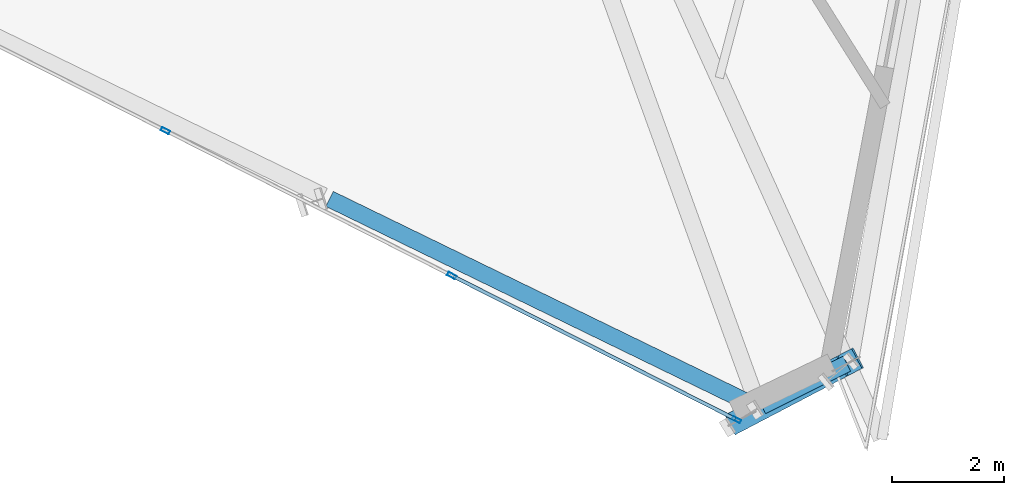
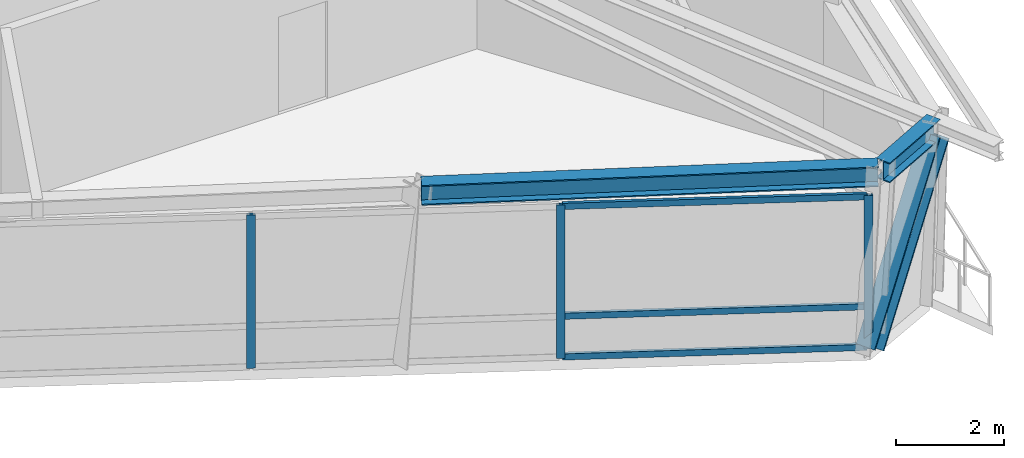
# One storey, part 4 of 21: 7 members, 2 beams, 1 element without a shape of its own.
"""IFC4 building model written with IfcOpenShell, lengths in metres."""

import ifcopenshell
import ifcopenshell.guid

model = None  # the IFC model being written
_history = None  # IfcOwnerHistory: only IFC2X3 demands one
_inside = {}  # id of a spatial element -> (the spatial element, [elements in it])
_under = {}  # id of a project, library or spatial element -> (it, [spatial elements below it])
_declared = {}  # id of a project -> (the project, [libraries it declares])
_typed = {}  # id of a type object -> (the type object, [elements of that type])
_made_of = {}  # id of a material, layer set ... -> (it, [elements and type objects made of it])


def new_model(schema):
    """Start an empty IFC model of exactly this schema.

    Asked for "IFC4X3", IfcOpenShell would pick the latest addendum, in which some entities
    have other attributes; the version numbers below select the first issue.
    IFC2X3 requires an IfcOwnerHistory on every rooted entity: one is made here for all.
    """
    global model, _history
    if schema == "IFC4X3":
        model = ifcopenshell.file(schema_version=(4, 3, 0, 0))
    else:
        model = ifcopenshell.file(schema=schema)
    _inside.clear()
    _under.clear()
    _declared.clear()
    _typed.clear()
    _made_of.clear()
    _history = None
    if model.schema == "IFC2X3":
        org = make("IfcOrganization", Name="unknown")
        user = make(
            "IfcPersonAndOrganization",
            ThePerson=make("IfcPerson", FamilyName="unknown"),
            TheOrganization=org,
        )
        app = make(
            "IfcApplication",
            ApplicationDeveloper=org,
            Version="unknown",
            ApplicationFullName="unknown",
            ApplicationIdentifier="unknown",
        )
        _history = make(
            "IfcOwnerHistory",
            OwningUser=user,
            OwningApplication=app,
            ChangeAction="ADDED",
            CreationDate=0,
        )
    return model


def make(cls, **values):
    """One entity of the class cls with the attributes given. An attribute that is None is left unset."""
    return model.create_entity(
        cls, **{name: value for name, value in values.items() if value is not None}
    )


def rooted(cls, **values):
    """An entity with a GlobalId (a new one), such as an element, a storey or a relation."""
    return make(cls, GlobalId=ifcopenshell.guid.new(), OwnerHistory=_history, **values)


def si_unit(unit_type, name, prefix=None):
    """IfcSIUnit, for example si_unit("LENGTHUNIT", "METRE", prefix="MILLI")."""
    return make("IfcSIUnit", UnitType=unit_type, Prefix=prefix, Name=name)


def assignment(units):
    """IfcUnitAssignment: the units of a project."""
    return None if units is None else make("IfcUnitAssignment", Units=units)


def point(xyz):
    """IfcCartesianPoint."""
    return None if xyz is None else make("IfcCartesianPoint", Coordinates=xyz)


def direction(xyz):
    """IfcDirection."""
    return None if xyz is None else make("IfcDirection", DirectionRatios=xyz)


def frame(location, z_axis=None, x_axis=None):
    """IfcAxis2Placement3D, a coordinate frame: its origin and axes. An axis left out is left unset."""
    return make(
        "IfcAxis2Placement3D",
        Location=point(location),
        Axis=direction(z_axis),
        RefDirection=direction(x_axis),
    )


def frame_2d(location, x_axis=None):
    """IfcAxis2Placement2D, a coordinate frame in the plane: its origin and x axis."""
    return make(
        "IfcAxis2Placement2D", Location=point(location), RefDirection=direction(x_axis)
    )


def origin():
    """The frame at (0, 0, 0) with its axes left unset."""
    return frame((0.0, 0.0, 0.0))


def origin_2d():
    """The frame at (0, 0) in the plane with its x axis left unset."""
    return frame_2d((0.0, 0.0))


def place(relative_to, where):
    """IfcLocalPlacement: puts the frame where relative to a parent placement (None: the world)."""
    return make(
        "IfcLocalPlacement", PlacementRelTo=relative_to, RelativePlacement=where
    )


def context(
    kind, dimensions, precision=None, world=None, true_north=None, identifier=None
):
    """IfcGeometricRepresentationContext, for example the 3D "Model" context."""
    return make(
        "IfcGeometricRepresentationContext",
        ContextIdentifier=identifier,
        ContextType=kind,
        CoordinateSpaceDimension=dimensions,
        Precision=precision,
        WorldCoordinateSystem=world,
        TrueNorth=true_north,
    )


def subcontext(parent, identifier, kind, view, scale=None):
    """IfcGeometricRepresentationSubContext, for example "Body" below "Model"."""
    return make(
        "IfcGeometricRepresentationSubContext",
        ContextIdentifier=identifier,
        ContextType=kind,
        ParentContext=parent,
        TargetScale=scale,
        TargetView=view,
    )


def project(units=None, contexts=None):
    """IfcProject with its units and contexts."""
    return rooted(
        "IfcProject",
        Name="project",
        RepresentationContexts=contexts,
        UnitsInContext=assignment(units),
    )


def spatial(cls, under=None, at=None, **own):
    """A site, building, storey or space (cls), placed at a placement, below another one or the project."""
    s = rooted(cls, ObjectPlacement=at, **own)
    if under is not None:
        _under.setdefault(under.id(), (under, []))[1].append(s)
    return s


def profile(cls, at=None, kind="AREA", **sizes):
    """A parametric profile (cls). Its sizes go by their IFC names, for example OverallWidth=200.0."""
    return make(cls, ProfileType=kind, Position=at, **sizes)


def hollow_rectangle(**sizes):
    """IfcRectangleHollowProfileDef."""
    return profile("IfcRectangleHollowProfileDef", **sizes)


def i_section(**sizes):
    """IfcIShapeProfileDef."""
    return profile("IfcIShapeProfileDef", **sizes)


def extrude(swept, where, along, depth):
    """IfcExtrudedAreaSolid: the profile swept, set in the frame where, extruded along a direction by depth."""
    return make(
        "IfcExtrudedAreaSolid",
        SweptArea=swept,
        Position=where,
        ExtrudedDirection=direction(along),
        Depth=depth,
    )


def shape(context_of_items, identifier, shape_type, items):
    """IfcShapeRepresentation: the items that make up one representation, for example the "Body"."""
    return make(
        "IfcShapeRepresentation",
        ContextOfItems=context_of_items,
        RepresentationIdentifier=identifier,
        RepresentationType=shape_type,
        Items=items,
    )


def source(mapping_origin, context_of_items, identifier, shape_type, items):
    """IfcRepresentationMap: a shape defined once, which mapped items show again and again."""
    return make(
        "IfcRepresentationMap",
        MappingOrigin=mapping_origin,
        MappedRepresentation=shape(context_of_items, identifier, shape_type, items),
    )


def transform(
    local_origin,
    x_axis=None,
    y_axis=None,
    z_axis=None,
    scale=None,
    scale2=None,
    scale3=None,
    uniform=True,
):
    """IfcCartesianTransformationOperator3D, or its non-uniform kind. x_axis, y_axis, z_axis: its Axis1, 2, 3."""
    if uniform:
        return make(
            "IfcCartesianTransformationOperator3D",
            Axis1=direction(x_axis),
            Axis2=direction(y_axis),
            LocalOrigin=point(local_origin),
            Scale=scale,
            Axis3=direction(z_axis),
        )
    return make(
        "IfcCartesianTransformationOperator3DnonUniform",
        Axis1=direction(x_axis),
        Axis2=direction(y_axis),
        LocalOrigin=point(local_origin),
        Scale=scale,
        Axis3=direction(z_axis),
        Scale2=scale2,
        Scale3=scale3,
    )


def mapped(mapping_source, mapping_target):
    """IfcMappedItem: shows the shape of a source again, moved by a transform."""
    return make(
        "IfcMappedItem", MappingSource=mapping_source, MappingTarget=mapping_target
    )


def material(Name=None, Category=None):
    """IfcMaterial."""
    return make("IfcMaterial", Name=Name, Category=Category)


def material_profile(
    of_material, cross_section, Name=None, Category=None, Priority=None
):
    """IfcMaterialProfile: a cross section and its material."""
    return make(
        "IfcMaterialProfile",
        Name=Name,
        Material=of_material,
        Profile=cross_section,
        Priority=Priority,
        Category=Category,
    )


def profile_set(profiles, Name=None, composite=None):
    """IfcMaterialProfileSet."""
    return make(
        "IfcMaterialProfileSet",
        Name=Name,
        MaterialProfiles=profiles,
        CompositeProfile=composite,
    )


def made_of(thing, what):
    """Note that an element or type object is made of a material, layer set ...; save() writes the relation."""
    if what is not None:
        _made_of.setdefault(what.id(), (what, []))[1].append(thing)
    return thing


def type_object(cls, material=None, **own):
    """A type object (cls), such as IfcWallType, which elements share."""
    return made_of(rooted(cls, **own), material)


def element(
    cls,
    number,
    at=None,
    inside=None,
    cuts=None,
    type_object=None,
    material=None,
    context=None,
    identifier="Body",
    shape_type=None,
    held_by="IfcProductDefinitionShape",
    body=None,
    shapes=None,
    **own,
):
    """One element of the class cls, such as IfcWall. Its Tag is "e" and its number.

    at: its placement. inside: the storey or other place that contains it. cuts: it is an
    opening in that element (IfcRelVoidsElement). A single representation is given by context,
    identifier, shape_type and body (its items); several are given by shapes. held_by: the class
    of the entity that holds the representations. save() writes the other relations.
    """
    e = rooted(cls, Tag="e%d" % number, ObjectPlacement=at, **own)
    if body is not None:
        shapes = [shape(context, identifier, shape_type, body)]
    if shapes is not None:
        e.Representation = make(held_by, Representations=shapes)
    if inside is not None:
        _inside.setdefault(inside.id(), (inside, []))[1].append(e)
    if cuts is not None:
        rooted(
            "IfcRelVoidsElement", RelatingBuildingElement=cuts, RelatedOpeningElement=e
        )
    if type_object is not None:
        _typed.setdefault(type_object.id(), (type_object, []))[1].append(e)
    return made_of(e, material)


def aggregate(whole, parts):
    """IfcRelAggregates: a whole, such as a stair, and the parts it consists of."""
    return rooted("IfcRelAggregates", RelatingObject=whole, RelatedObjects=parts)


def save(model, path):
    """Write the relations noted so far, then the file.

    IfcRelAggregates (storeys below a building ...), IfcRelContainedInSpatialStructure (elements
    in a storey), IfcRelDefinesByType, IfcRelAssociatesMaterial and IfcRelDeclares: one each for
    every whole, place, type object, material and project.
    """
    for whole, parts in _under.values():
        aggregate(whole, parts)
    for where, things in _inside.values():
        rooted(
            "IfcRelContainedInSpatialStructure",
            RelatedElements=things,
            RelatingStructure=where,
        )
    for kind, things in _typed.values():
        rooted("IfcRelDefinesByType", RelatedObjects=things, RelatingType=kind)
    for what, things in _made_of.values():
        rooted("IfcRelAssociatesMaterial", RelatedObjects=things, RelatingMaterial=what)
    for by, libraries in _declared.values():
        rooted("IfcRelDeclares", RelatingContext=by, RelatedDefinitions=libraries)
    model.write(path)


model = new_model("IFC4")

# Units and contexts
model_context = context("Model", 3, precision=1e-05, world=origin(), true_north=direction((0.0, 1.0)))
body_context = subcontext(model_context, "Body", "Model", "MODEL_VIEW")
ifc_project = project(units=[si_unit("LENGTHUNIT", "METRE"), si_unit("AREAUNIT", "SQUARE_METRE"), si_unit("VOLUMEUNIT", "CUBIC_METRE"), si_unit("PLANEANGLEUNIT", "RADIAN"), si_unit("MASSUNIT", "GRAM", prefix="KILO")], contexts=[model_context])

# Site, building, storey
site_placement = place(None, origin())
site = spatial("IfcSite", under=ifc_project, at=site_placement, CompositionType="ELEMENT")
building_placement = place(site_placement, origin())
building = spatial("IfcBuilding", under=site, at=building_placement, Name="Olszyna Solenne Hotel", CompositionType="ELEMENT")
storey_placement = place(building_placement, frame((0.0, 0.0, 277.699951171875)))
storey = spatial("IfcBuildingStorey", under=building, at=storey_placement, Name="L74", CompositionType="ELEMENT", Elevation=277.699951171875)

# Beams
ifc_material_1 = material(Name="Steel S355J2", Category="steel")
ifc_material_profile_1 = material_profile(ifc_material_1, i_section(OverallWidth=0.300048828125, OverallDepth=0.449951171875, WebThickness=0.013916015625, FlangeThickness=0.02587890625, at=origin_2d()), Name="HEB 450", Category="load-bearing")
ifc_profile_set_1 = profile_set([ifc_material_profile_1], Name="Steel S355J2")
beam_type = type_object("IfcBeamType", Name="BM-S4", PredefinedType="BEAM", material=ifc_profile_set_1)
shared_shape_1 = source(origin(), body_context, "Body", "SweptSolid", [
    extrude(i_section(OverallWidth=0.300048828125, OverallDepth=0.449951171875, WebThickness=0.013916015625, FlangeThickness=0.02587890625, at=origin_2d()), origin(), (0.0, 0.0, 1.0), 8.4658203125),
])
beam_1_placement = place(storey_placement, frame((38.02294921875, 9.08203125, 3.695068359375), z_axis=(0.899270346106, -0.437393237962, 0.0), x_axis=(0.437393237962, 0.899270346106, 0.0)))
element("IfcBeam", 1, at=beam_1_placement, inside=storey, type_object=beam_type, Name="Perimeter spandrel beam BM-S4 B-L74-2175", PredefinedType="BEAM", context=body_context, shape_type="MappedRepresentation", body=[
    mapped(shared_shape_1, transform((0.0, 0.0, 0.0), x_axis=(1.0, 0.0, 0.0), y_axis=(0.0, 1.0, 0.0), z_axis=(0.0, 0.0, 1.0), scale=1.0)),
])
shared_shape_2 = source(origin(), body_context, "Body", "SweptSolid", [
    extrude(i_section(OverallWidth=0.300048828125, OverallDepth=0.449951171875, WebThickness=0.013916015625, FlangeThickness=0.02587890625, at=origin_2d()), origin(), (0.0, 0.0, 1.0), 1.69873046875),
])
beam_2_placement = place(storey_placement, frame((45.743408203125, 5.3798828125, 3.695068359375), z_axis=(0.894197128152, 0.447673425618, 0.0), x_axis=(-0.447673425618, 0.894197128152, 0.0)))
element("IfcBeam", 2, at=beam_2_placement, inside=storey, type_object=beam_type, Name="Perimeter spandrel beam BM-S4 B-L74-2176", PredefinedType="BEAM", context=body_context, shape_type="MappedRepresentation", body=[
    mapped(shared_shape_2, transform((0.0, 0.0, 0.0), x_axis=(1.0, 0.0, 0.0), y_axis=(0.0, 1.0, 0.0), z_axis=(0.0, 0.0, 1.0), scale=1.0)),
])

# Member
ifc_material_2 = material(Name="Steel S460M", Category="steel")
ifc_material_profile_2 = material_profile(ifc_material_2, i_section(OverallWidth=0.40087890625, OverallDepth=0.39892578125, WebThickness=0.02197265625, FlangeThickness=0.034423828125, at=origin_2d()), Name="HD 400x314", Category="load-bearing")
ifc_profile_set_2 = profile_set([ifc_material_profile_2], Name="Steel S460M")
member_type_1 = type_object("IfcMemberType", Name="BR-T3", PredefinedType="BRACE", material=ifc_profile_set_2)
shared_shape_3 = source(origin(), body_context, "Body", "SweptSolid", [
    extrude(i_section(OverallWidth=0.40087890625, OverallDepth=0.39892578125, WebThickness=0.02197265625, FlangeThickness=0.034423828125, at=origin_2d()), origin(), (0.0, 0.0, 1.0), 4.1357421875),
])
member_1_placement = place(storey_placement, frame((45.32080078125, 5.123291015625, 0.010009765625), z_axis=(0.482455607557, 0.252414068018, 0.838763211523), x_axis=(-0.4635734805, 0.886058478983, 0.0)))
element("IfcMember", 3, at=member_1_placement, inside=storey, type_object=member_type_1, Name="Perimeter braced-tube diagonal BR-T3 BR-L74-3", PredefinedType="BRACE", context=body_context, shape_type="MappedRepresentation", body=[
    mapped(shared_shape_3, transform((0.0, 0.0, 0.0), x_axis=(1.0, 0.0, 0.0), y_axis=(0.0, 1.0, 0.0), z_axis=(0.0, 0.0, 1.0), scale=1.0)),
])

# Curtain wall, members
ifc_material_3 = material(Name="Anodised bronze aluminium", Category="aluminium")
curtain_wall_type = type_object("IfcCurtainWallType", Name="CW-SYS-7", PredefinedType="NOTDEFINED", material=ifc_material_3)
curtain_wall_placement = place(storey_placement, origin())
curtain_wall = element("IfcCurtainWall", 4, at=curtain_wall_placement, inside=storey, type_object=curtain_wall_type, Name="Unitised curtain wall CW-SYS-7 CW-L74-01", PredefinedType="NOTDEFINED")
ifc_material_profile_3 = material_profile(ifc_material_3, hollow_rectangle(XDim=0.06494140625, YDim=0.159912109375, WallThickness=0.00390625, at=origin_2d()), Name="MULL 160x65x4", Category="load-bearing")
ifc_profile_set_3 = profile_set([ifc_material_profile_3], Name="Anodised bronze aluminium")
member_type_2 = type_object("IfcMemberType", Name="CW-M3", PredefinedType="MULLION", material=ifc_profile_set_3)
shared_shape_4 = source(origin(), body_context, "Body", "SweptSolid", [
    extrude(hollow_rectangle(XDim=0.06494140625, YDim=0.159912109375, WallThickness=0.00390625, at=origin_2d()), origin(), (0.0, 0.0, 1.0), 3.462158203125),
])
member_2_placement = place(storey_placement, frame((35.09130859375, 10.30078125, 0.0), z_axis=(0.0, 0.0, 1.0), x_axis=(0.451573987333, 0.892233676771, 0.0)))
member_2 = element("IfcMember", 5, at=member_2_placement, type_object=member_type_2, Name="Curtain-wall mullion CW-M3 CM-L74-01-02", PredefinedType="MULLION", context=body_context, shape_type="MappedRepresentation", body=[
    mapped(shared_shape_4, transform((0.0, 0.0, 0.0), x_axis=(1.0, 0.0, 0.0), y_axis=(0.0, 1.0, 0.0), z_axis=(0.0, 0.0, 1.0), scale=1.0)),
])
member_3_placement = place(storey_placement, frame((40.2060546875, 7.712158203125, 0.0), z_axis=(0.0, 0.0, 1.0), x_axis=(0.451573987333, 0.892233676771, 0.0)))
member_3 = element("IfcMember", 6, at=member_3_placement, type_object=member_type_2, Name="Curtain-wall mullion CW-M3 CM-L74-01-03", PredefinedType="MULLION", context=body_context, shape_type="MappedRepresentation", body=[
    mapped(shared_shape_4, transform((0.0, 0.0, 0.0), x_axis=(1.0, 0.0, 0.0), y_axis=(0.0, 1.0, 0.0), z_axis=(0.0, 0.0, 1.0), scale=1.0)),
])
member_4_placement = place(storey_placement, frame((45.291748046875, 5.13818359375, 0.0), z_axis=(0.0, 0.0, 1.0), x_axis=(0.451573987333, 0.892233676771, 0.0)))
member_4 = element("IfcMember", 7, at=member_4_placement, type_object=member_type_2, Name="Curtain-wall mullion CW-M3 CM-L74-01-04", PredefinedType="MULLION", context=body_context, shape_type="MappedRepresentation", body=[
    mapped(shared_shape_4, transform((0.0, 0.0, 0.0), x_axis=(1.0, 0.0, 0.0), y_axis=(0.0, 1.0, 0.0), z_axis=(0.0, 0.0, 1.0), scale=1.0)),
])
ifc_material_profile_4 = material_profile(ifc_material_3, hollow_rectangle(XDim=0.06494140625, YDim=0.139892578125, WallThickness=0.00390625, at=origin_2d()), Name="TRAN 140x65x4", Category="load-bearing")
ifc_profile_set_4 = profile_set([ifc_material_profile_4], Name="Anodised bronze aluminium")
member_type_3 = type_object("IfcMemberType", Name="CW-T2", PredefinedType="USERDEFINED", material=ifc_profile_set_4)
shared_shape_5 = source(origin(), body_context, "Body", "SweptSolid", [
    extrude(hollow_rectangle(XDim=0.06494140625, YDim=0.139892578125, WallThickness=0.00390625, at=origin_2d()), origin(), (0.0, 0.0, 1.0), 5.635009765625),
])
member_5_placement = place(storey_placement, frame((40.235107421875, 7.697509765625, 0.032470703125), z_axis=(0.892224119153, -0.45159287107, 0.0), x_axis=(0.45159287107, 0.892224119153, 0.0)))
member_5 = element("IfcMember", 8, at=member_5_placement, type_object=member_type_3, Name="Curtain-wall transom CW-T2 CT-L74-01-07", ObjectType="TRANSOM", PredefinedType="USERDEFINED", context=body_context, shape_type="MappedRepresentation", body=[
    mapped(shared_shape_5, transform((0.0, 0.0, 0.0), x_axis=(1.0, 0.0, 0.0), y_axis=(0.0, 1.0, 0.0), z_axis=(0.0, 0.0, 1.0), scale=1.0)),
])
member_6_placement = place(storey_placement, frame((40.235107421875, 7.697509765625, 0.949951171875), z_axis=(0.892224119153, -0.45159287107, 0.0), x_axis=(0.45159287107, 0.892224119153, 0.0)))
member_6 = element("IfcMember", 9, at=member_6_placement, type_object=member_type_3, Name="Curtain-wall transom CW-T2 CT-L74-01-08", ObjectType="TRANSOM", PredefinedType="USERDEFINED", context=body_context, shape_type="MappedRepresentation", body=[
    mapped(shared_shape_5, transform((0.0, 0.0, 0.0), x_axis=(1.0, 0.0, 0.0), y_axis=(0.0, 1.0, 0.0), z_axis=(0.0, 0.0, 1.0), scale=1.0)),
])
member_7_placement = place(storey_placement, frame((40.235107421875, 7.697509765625, 3.429443359375), z_axis=(0.892224119153, -0.45159287107, 0.0), x_axis=(0.45159287107, 0.892224119153, 0.0)))
member_7 = element("IfcMember", 10, at=member_7_placement, type_object=member_type_3, Name="Curtain-wall transom CW-T2 CT-L74-01-09", ObjectType="TRANSOM", PredefinedType="USERDEFINED", context=body_context, shape_type="MappedRepresentation", body=[
    mapped(shared_shape_5, transform((0.0, 0.0, 0.0), x_axis=(1.0, 0.0, 0.0), y_axis=(0.0, 1.0, 0.0), z_axis=(0.0, 0.0, 1.0), scale=1.0)),
])
aggregate(curtain_wall, [member_2, member_3, member_4, member_5, member_6, member_7])

save(model, "model.ifc")
